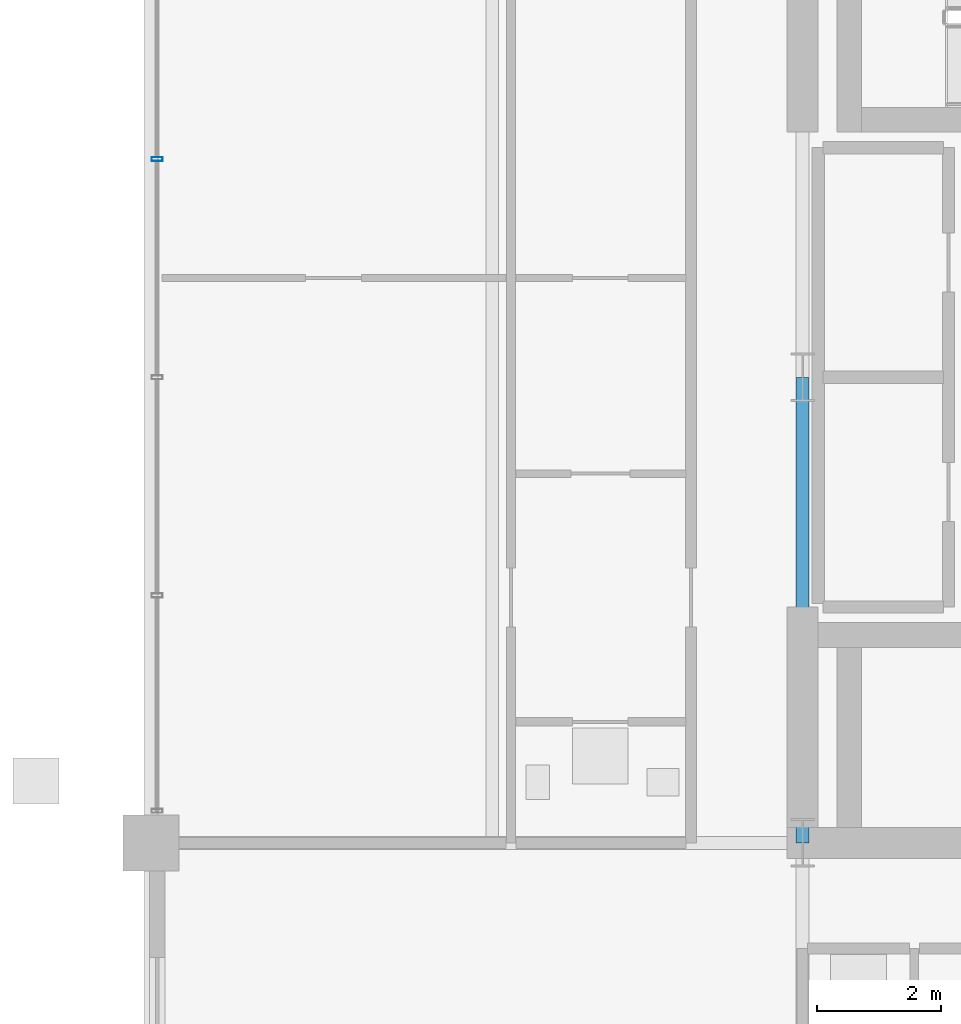
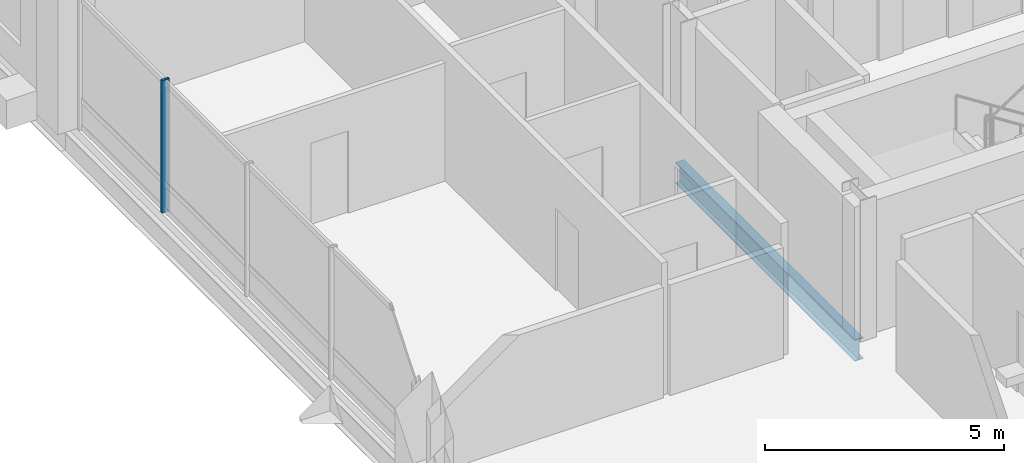
# One storey, part 7 of 22: 1 beam, 1 member, 1 element without a shape of its own.
"""IFC4 building model written with IfcOpenShell, lengths in metres."""

from ifc_helpers import new_model, si_unit, direction, frame, origin, origin_2d, place, context, subcontext, project, spatial, hollow_rectangle, i_section, extrude, material, layer, layer_set, material_profile, profile_set, type_object, element, aggregate, save


model = new_model("IFC4")

# Units and contexts
model_context = context("Model", 3, precision=1e-05, world=origin(), true_north=direction((0.0, 1.0)))
body_context = subcontext(model_context, "Body", "Model", "MODEL_VIEW")
ifc_project = project(units=[si_unit("LENGTHUNIT", "METRE"), si_unit("AREAUNIT", "SQUARE_METRE"), si_unit("VOLUMEUNIT", "CUBIC_METRE"), si_unit("PLANEANGLEUNIT", "RADIAN"), si_unit("MASSUNIT", "GRAM", prefix="KILO")], contexts=[model_context])

# Site, building, storey
site_placement = place(None, origin())
site = spatial("IfcSite", under=ifc_project, at=site_placement, CompositionType="ELEMENT")
building_placement = place(site_placement, origin())
building = spatial("IfcBuilding", under=site, at=building_placement, Name="Barlavira Tower and Art Museum", CompositionType="ELEMENT")
storey_placement = place(building_placement, frame((0.0, 0.0, 243.89990234375)))
storey = spatial("IfcBuildingStorey", under=building, at=storey_placement, Name="L63", CompositionType="ELEMENT", Elevation=243.89990234375)

# Curtain wall, member
ifc_material_1 = material(Name="Low-iron coastal laminated glass", Category="glass")
ifc_layer = layer(ifc_material_1, 0.2099609375, Name="Low-iron coastal laminated glass")
ifc_layer_set = layer_set([ifc_layer], Name="Low-iron coastal laminated glass")
curtain_wall_type = type_object("IfcCurtainWallType", Name="Pale-Metal Unitised Curtain Wall Zone 4", PredefinedType="NOTDEFINED", material=ifc_layer_set)
curtain_wall_placement = place(storey_placement, origin())
curtain_wall = element("IfcCurtainWall", 1, at=curtain_wall_placement, inside=storey, type_object=curtain_wall_type, Name="L63 Curtain Wall CW4-L63-W-B3", PredefinedType="NOTDEFINED")
ifc_material_2 = material(Name="Pale anodised aluminium", Category="aluminium")
ifc_material_profile_1 = material_profile(ifc_material_2, hollow_rectangle(XDim=0.06494140625, YDim=0.179931640625, WallThickness=0.00390625, at=origin_2d()), Name="ALU-MULL 65x180x4")
ifc_profile_set_1 = profile_set([ifc_material_profile_1], Name="Pale anodised aluminium")
member_type = type_object("IfcMemberType", Name="Curtain Wall Pale-Metal Mullion 65x180", PredefinedType="MULLION", material=ifc_profile_set_1)
member_placement = place(storey_placement, frame((-16.89990234375, 3.514892578125, 0.0), z_axis=(0.0, 0.0, 1.0), x_axis=(0.0, -1.0, 0.0)))
member = element("IfcMember", 2, at=member_placement, type_object=member_type, Name="CW4-L63-W-B3 Mullion 1", PredefinedType="MULLION", context=body_context, shape_type="SweptSolid", body=[
    extrude(hollow_rectangle(XDim=0.06494140625, YDim=0.179931640625, WallThickness=0.00390625, at=origin_2d()), origin(), (0.0, 0.0, 1.0), 3.380126953125),
])
aggregate(curtain_wall, [member])

# Beam
ifc_material_3 = material(Name="Steel S355", Category="steel")
ifc_material_profile_2 = material_profile(ifc_material_3, i_section(OverallWidth=0.2109375, OverallDepth=0.5390625, WebThickness=0.01171875, FlangeThickness=0.018798828125, at=origin_2d()), Name="W530x109.0")
ifc_profile_set_2 = profile_set([ifc_material_profile_2], Name="Steel S355")
beam_type = type_object("IfcBeamType", Name="Zone 3-4 Primary Floor Girder W530x109 Steel S355", PredefinedType="BEAM", material=ifc_profile_set_2)
beam_placement = place(storey_placement, frame((-6.5, -7.5, -0.489501953125), z_axis=(0.0, 1.0, 0.0), x_axis=(-1.0, 0.0, 0.0)))
element("IfcBeam", 3, at=beam_placement, inside=storey, type_object=beam_type, Name="L63 Girder C-W1", PredefinedType="BEAM", context=body_context, shape_type="SweptSolid", body=[
    extrude(i_section(OverallWidth=0.2109375, OverallDepth=0.5390625, WebThickness=0.01171875, FlangeThickness=0.018798828125, at=origin_2d()), origin(), (0.0, 0.0, 1.0), 7.5),
])

save(model, "model.ifc")
